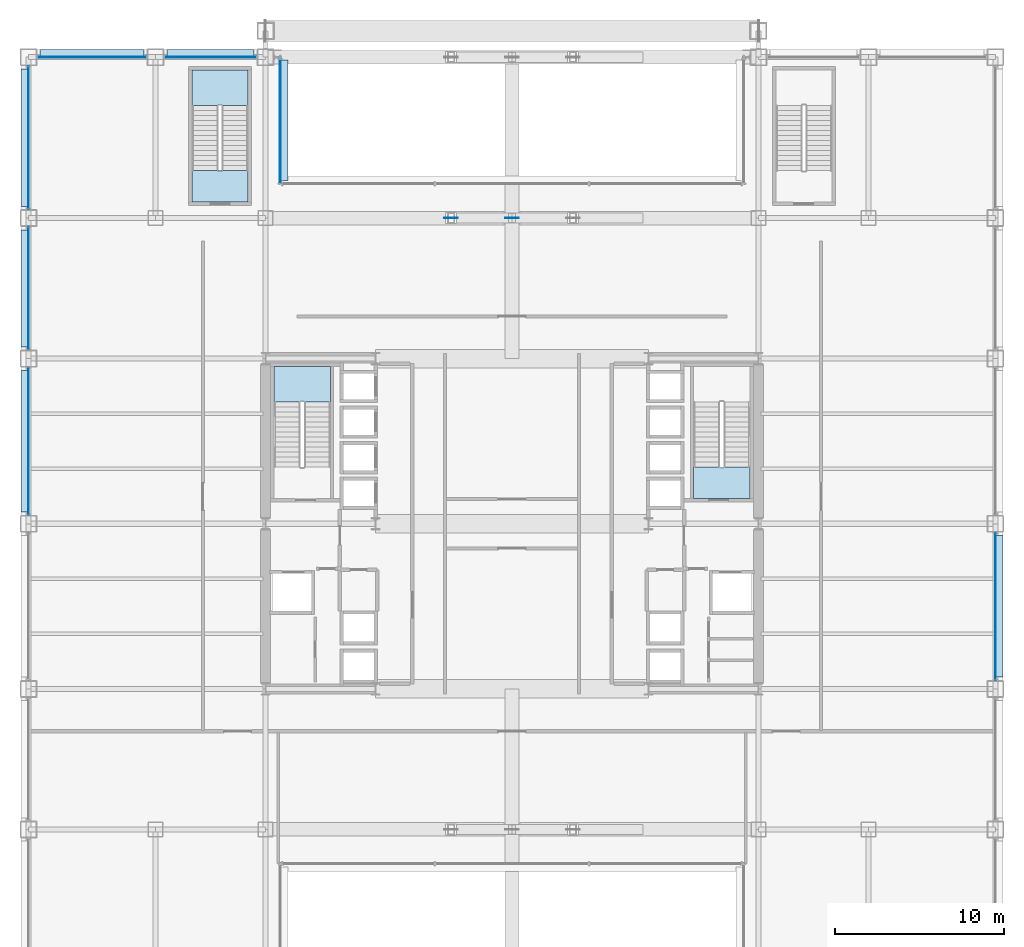
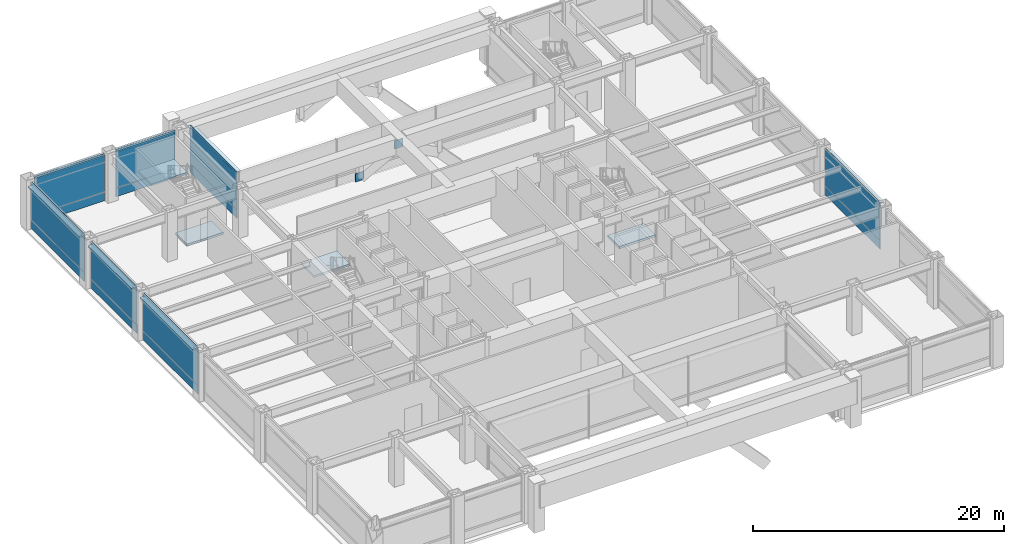
# One storey, part 28 of 37: 23 plates, 4 slabs, 9 elements without a shape of their own.
"""IFC4 building model written with IfcOpenShell, lengths in metres."""

import ifcopenshell
import ifcopenshell.guid

model = None  # the IFC model being written
_history = None  # IfcOwnerHistory: only IFC2X3 demands one
_inside = {}  # id of a spatial element -> (the spatial element, [elements in it])
_under = {}  # id of a project, library or spatial element -> (it, [spatial elements below it])
_declared = {}  # id of a project -> (the project, [libraries it declares])
_typed = {}  # id of a type object -> (the type object, [elements of that type])
_made_of = {}  # id of a material, layer set ... -> (it, [elements and type objects made of it])


def new_model(schema):
    """Start an empty IFC model of exactly this schema.

    Asked for "IFC4X3", IfcOpenShell would pick the latest addendum, in which some entities
    have other attributes; the version numbers below select the first issue.
    IFC2X3 requires an IfcOwnerHistory on every rooted entity: one is made here for all.
    """
    global model, _history
    if schema == "IFC4X3":
        model = ifcopenshell.file(schema_version=(4, 3, 0, 0))
    else:
        model = ifcopenshell.file(schema=schema)
    _inside.clear()
    _under.clear()
    _declared.clear()
    _typed.clear()
    _made_of.clear()
    _history = None
    if model.schema == "IFC2X3":
        org = make("IfcOrganization", Name="unknown")
        user = make(
            "IfcPersonAndOrganization",
            ThePerson=make("IfcPerson", FamilyName="unknown"),
            TheOrganization=org,
        )
        app = make(
            "IfcApplication",
            ApplicationDeveloper=org,
            Version="unknown",
            ApplicationFullName="unknown",
            ApplicationIdentifier="unknown",
        )
        _history = make(
            "IfcOwnerHistory",
            OwningUser=user,
            OwningApplication=app,
            ChangeAction="ADDED",
            CreationDate=0,
        )
    return model


def make(cls, **values):
    """One entity of the class cls with the attributes given. An attribute that is None is left unset."""
    return model.create_entity(
        cls, **{name: value for name, value in values.items() if value is not None}
    )


def rooted(cls, **values):
    """An entity with a GlobalId (a new one), such as an element, a storey or a relation."""
    return make(cls, GlobalId=ifcopenshell.guid.new(), OwnerHistory=_history, **values)


def si_unit(unit_type, name, prefix=None):
    """IfcSIUnit, for example si_unit("LENGTHUNIT", "METRE", prefix="MILLI")."""
    return make("IfcSIUnit", UnitType=unit_type, Prefix=prefix, Name=name)


def assignment(units):
    """IfcUnitAssignment: the units of a project."""
    return None if units is None else make("IfcUnitAssignment", Units=units)


def point(xyz):
    """IfcCartesianPoint."""
    return None if xyz is None else make("IfcCartesianPoint", Coordinates=xyz)


def direction(xyz):
    """IfcDirection."""
    return None if xyz is None else make("IfcDirection", DirectionRatios=xyz)


def frame(location, z_axis=None, x_axis=None):
    """IfcAxis2Placement3D, a coordinate frame: its origin and axes. An axis left out is left unset."""
    return make(
        "IfcAxis2Placement3D",
        Location=point(location),
        Axis=direction(z_axis),
        RefDirection=direction(x_axis),
    )


def frame_2d(location, x_axis=None):
    """IfcAxis2Placement2D, a coordinate frame in the plane: its origin and x axis."""
    return make(
        "IfcAxis2Placement2D", Location=point(location), RefDirection=direction(x_axis)
    )


def origin():
    """The frame at (0, 0, 0) with its axes left unset."""
    return frame((0.0, 0.0, 0.0))


def origin_2d():
    """The frame at (0, 0) in the plane with its x axis left unset."""
    return frame_2d((0.0, 0.0))


def place(relative_to, where):
    """IfcLocalPlacement: puts the frame where relative to a parent placement (None: the world)."""
    return make(
        "IfcLocalPlacement", PlacementRelTo=relative_to, RelativePlacement=where
    )


def context(
    kind, dimensions, precision=None, world=None, true_north=None, identifier=None
):
    """IfcGeometricRepresentationContext, for example the 3D "Model" context."""
    return make(
        "IfcGeometricRepresentationContext",
        ContextIdentifier=identifier,
        ContextType=kind,
        CoordinateSpaceDimension=dimensions,
        Precision=precision,
        WorldCoordinateSystem=world,
        TrueNorth=true_north,
    )


def subcontext(parent, identifier, kind, view, scale=None):
    """IfcGeometricRepresentationSubContext, for example "Body" below "Model"."""
    return make(
        "IfcGeometricRepresentationSubContext",
        ContextIdentifier=identifier,
        ContextType=kind,
        ParentContext=parent,
        TargetScale=scale,
        TargetView=view,
    )


def project(units=None, contexts=None):
    """IfcProject with its units and contexts."""
    return rooted(
        "IfcProject",
        Name="project",
        RepresentationContexts=contexts,
        UnitsInContext=assignment(units),
    )


def spatial(cls, under=None, at=None, **own):
    """A site, building, storey or space (cls), placed at a placement, below another one or the project."""
    s = rooted(cls, ObjectPlacement=at, **own)
    if under is not None:
        _under.setdefault(under.id(), (under, []))[1].append(s)
    return s


def polyline(points):
    """IfcPolyline through the points."""
    return make("IfcPolyline", Points=[point(p) for p in points])


def profile(cls, at=None, kind="AREA", **sizes):
    """A parametric profile (cls). Its sizes go by their IFC names, for example OverallWidth=200.0."""
    return make(cls, ProfileType=kind, Position=at, **sizes)


def rectangle(**sizes):
    """IfcRectangleProfileDef."""
    return profile("IfcRectangleProfileDef", **sizes)


def outline(outer, holes=None, kind="AREA"):
    """IfcArbitraryClosedProfileDef: a profile drawn as a closed curve; with holes, ...WithVoids."""
    if holes is None:
        return make("IfcArbitraryClosedProfileDef", ProfileType=kind, OuterCurve=outer)
    return make(
        "IfcArbitraryProfileDefWithVoids",
        ProfileType=kind,
        OuterCurve=outer,
        InnerCurves=holes,
    )


def extrude(swept, where, along, depth):
    """IfcExtrudedAreaSolid: the profile swept, set in the frame where, extruded along a direction by depth."""
    return make(
        "IfcExtrudedAreaSolid",
        SweptArea=swept,
        Position=where,
        ExtrudedDirection=direction(along),
        Depth=depth,
    )


def shape(context_of_items, identifier, shape_type, items):
    """IfcShapeRepresentation: the items that make up one representation, for example the "Body"."""
    return make(
        "IfcShapeRepresentation",
        ContextOfItems=context_of_items,
        RepresentationIdentifier=identifier,
        RepresentationType=shape_type,
        Items=items,
    )


def material(Name=None, Category=None):
    """IfcMaterial."""
    return make("IfcMaterial", Name=Name, Category=Category)


def layer(
    of_material, thickness, ventilated=None, Name=None, Category=None, Priority=None
):
    """IfcMaterialLayer: one layer of a wall or slab, of a material (None: an air gap)."""
    return make(
        "IfcMaterialLayer",
        Material=of_material,
        LayerThickness=thickness,
        IsVentilated=ventilated,
        Name=Name,
        Category=Category,
        Priority=Priority,
    )


def layer_set(layers, Name=None):
    """IfcMaterialLayerSet."""
    return make("IfcMaterialLayerSet", MaterialLayers=layers, LayerSetName=Name)


def made_of(thing, what):
    """Note that an element or type object is made of a material, layer set ...; save() writes the relation."""
    if what is not None:
        _made_of.setdefault(what.id(), (what, []))[1].append(thing)
    return thing


def type_object(cls, material=None, **own):
    """A type object (cls), such as IfcWallType, which elements share."""
    return made_of(rooted(cls, **own), material)


def element(
    cls,
    number,
    at=None,
    inside=None,
    cuts=None,
    type_object=None,
    material=None,
    context=None,
    identifier="Body",
    shape_type=None,
    held_by="IfcProductDefinitionShape",
    body=None,
    shapes=None,
    **own,
):
    """One element of the class cls, such as IfcWall. Its Tag is "e" and its number.

    at: its placement. inside: the storey or other place that contains it. cuts: it is an
    opening in that element (IfcRelVoidsElement). A single representation is given by context,
    identifier, shape_type and body (its items); several are given by shapes. held_by: the class
    of the entity that holds the representations. save() writes the other relations.
    """
    e = rooted(cls, Tag="e%d" % number, ObjectPlacement=at, **own)
    if body is not None:
        shapes = [shape(context, identifier, shape_type, body)]
    if shapes is not None:
        e.Representation = make(held_by, Representations=shapes)
    if inside is not None:
        _inside.setdefault(inside.id(), (inside, []))[1].append(e)
    if cuts is not None:
        rooted(
            "IfcRelVoidsElement", RelatingBuildingElement=cuts, RelatedOpeningElement=e
        )
    if type_object is not None:
        _typed.setdefault(type_object.id(), (type_object, []))[1].append(e)
    return made_of(e, material)


def aggregate(whole, parts):
    """IfcRelAggregates: a whole, such as a stair, and the parts it consists of."""
    return rooted("IfcRelAggregates", RelatingObject=whole, RelatedObjects=parts)


def save(model, path):
    """Write the relations noted so far, then the file.

    IfcRelAggregates (storeys below a building ...), IfcRelContainedInSpatialStructure (elements
    in a storey), IfcRelDefinesByType, IfcRelAssociatesMaterial and IfcRelDeclares: one each for
    every whole, place, type object, material and project.
    """
    for whole, parts in _under.values():
        aggregate(whole, parts)
    for where, things in _inside.values():
        rooted(
            "IfcRelContainedInSpatialStructure",
            RelatedElements=things,
            RelatingStructure=where,
        )
    for kind, things in _typed.values():
        rooted("IfcRelDefinesByType", RelatedObjects=things, RelatingType=kind)
    for what, things in _made_of.values():
        rooted("IfcRelAssociatesMaterial", RelatedObjects=things, RelatingMaterial=what)
    for by, libraries in _declared.values():
        rooted("IfcRelDeclares", RelatingContext=by, RelatedDefinitions=libraries)
    model.write(path)


model = new_model("IFC4")

# Units and contexts
model_context = context("Model", 3, precision=1e-05, world=origin(), true_north=direction((0.0, 1.0)))
body_context = subcontext(model_context, "Body", "Model", "MODEL_VIEW")
ifc_project = project(units=[si_unit("LENGTHUNIT", "METRE"), si_unit("AREAUNIT", "SQUARE_METRE"), si_unit("VOLUMEUNIT", "CUBIC_METRE"), si_unit("PLANEANGLEUNIT", "RADIAN"), si_unit("MASSUNIT", "GRAM", prefix="KILO")], contexts=[model_context])

# Site, building, storey
site_placement = place(None, origin())
site = spatial("IfcSite", under=ifc_project, at=site_placement, CompositionType="ELEMENT")
building_placement = place(site_placement, origin())
building = spatial("IfcBuilding", under=site, at=building_placement, Name="Brelmoor Portico Tower", CompositionType="ELEMENT")
storey_placement = place(building_placement, frame((0.0, 0.0, 14.39990234375)))
storey = spatial("IfcBuildingStorey", under=building, at=storey_placement, Name="L03", CompositionType="ELEMENT", Elevation=14.39990234375)

# Curtain wall, plate
ifc_material_1 = material(Name="Anodised Aluminium Alloy 6063-T6", Category="aluminium")
ifc_layer_1 = layer(ifc_material_1, 0.179931640625)
ifc_layer_set_1 = layer_set([ifc_layer_1], Name="Anodised Aluminium Alloy 6063-T6")
curtain_wall_type = type_object("IfcCurtainWallType", Name="CW-PODIUM-ARCH", PredefinedType="NOTDEFINED", material=ifc_layer_set_1)
curtain_wall_1_placement = place(storey_placement, origin())
curtain_wall_1 = element("IfcCurtainWall", 1, at=curtain_wall_1_placement, inside=storey, type_object=curtain_wall_type, Name="L03 Curtain Wall CW-L03-06-1", PredefinedType="NOTDEFINED")
ifc_material_2 = material(Name="Double-Silver Low-E Insulated Glazing", Category="glass")
ifc_layer_2 = layer(ifc_material_2, 0.035888671875)
ifc_layer_set_2 = layer_set([ifc_layer_2], Name="Double-Silver Low-E Insulated Glazing")
plate_type_1 = type_object("IfcPlateType", Name="PT-CW-GLASS", PredefinedType="CURTAIN_PANEL", material=ifc_layer_set_2)
plate_1_placement = place(storey_placement, frame((-24.800048828125, 27.550048828125, 0.85009765625), z_axis=(0.0, 0.0, 1.0), x_axis=(1.0, 0.0, 0.0)))
plate_1 = element("IfcPlate", 2, at=plate_1_placement, type_object=plate_type_1, Name="CW-L03-06-1 Vision Glass Panel 00", PredefinedType="CURTAIN_PANEL", context=body_context, shape_type="SweptSolid", body=[
    extrude(rectangle(XDim=6.449951171875, YDim=0.035888671875, at=origin_2d()), origin(), (0.0, 0.0, 1.0), 3.72998046875),
])

curtain_wall_2_placement = place(storey_placement, origin())
curtain_wall_2 = element("IfcCurtainWall", 3, at=curtain_wall_2_placement, inside=storey, type_object=curtain_wall_type, Name="L03 Curtain Wall CW-L03-06-2", PredefinedType="NOTDEFINED")
plate_2_placement = place(storey_placement, frame((-17.800048828125, 27.550048828125, 0.85009765625), z_axis=(0.0, 0.0, 1.0), x_axis=(1.0, 0.0, 0.0)))
plate_2 = element("IfcPlate", 4, at=plate_2_placement, type_object=plate_type_1, Name="CW-L03-06-2 Vision Glass Panel 00", PredefinedType="CURTAIN_PANEL", context=body_context, shape_type="SweptSolid", body=[
    extrude(rectangle(XDim=5.449951171875, YDim=0.035888671875, at=origin_2d()), origin(), (0.0, 0.0, 1.0), 3.72998046875),
])

curtain_wall_3_placement = place(storey_placement, origin())
curtain_wall_3 = element("IfcCurtainWall", 5, at=curtain_wall_3_placement, inside=storey, type_object=curtain_wall_type, Name="L03 Curtain Wall CW-L03-08", PredefinedType="NOTDEFINED")
plate_3_placement = place(storey_placement, frame((-13.679931640625, 23.81494140625, 0.85009765625), z_axis=(0.0, 0.0, 1.0), x_axis=(0.0, 1.0, 0.0)))
plate_3 = element("IfcPlate", 6, at=plate_3_placement, type_object=plate_type_1, Name="CW-L03-08 Vision Glass Panel 00", PredefinedType="CURTAIN_PANEL", context=body_context, shape_type="SweptSolid", body=[
    extrude(rectangle(XDim=7.43994140625, YDim=0.035888671875, at=origin_2d()), origin(), (0.0, 0.0, 1.0), 3.72998046875),
])

curtain_wall_4_placement = place(storey_placement, origin())
curtain_wall_4 = element("IfcCurtainWall", 7, at=curtain_wall_4_placement, inside=storey, type_object=curtain_wall_type, Name="L03 Curtain Wall CW-L03-11-4", PredefinedType="NOTDEFINED")
plate_4_placement = place(storey_placement, frame((-28.550048828125, 4.875, 0.85009765625), z_axis=(0.0, 0.0, 1.0), x_axis=(0.0, 1.0, 0.0)))
plate_4 = element("IfcPlate", 8, at=plate_4_placement, type_object=plate_type_1, Name="CW-L03-11-4 Vision Glass Panel 00", PredefinedType="CURTAIN_PANEL", context=body_context, shape_type="SweptSolid", body=[
    extrude(rectangle(XDim=8.699951171875, YDim=0.035888671875, at=origin_2d()), origin(), (0.0, 0.0, 1.0), 3.72998046875),
])

curtain_wall_5_placement = place(storey_placement, origin())
curtain_wall_5 = element("IfcCurtainWall", 9, at=curtain_wall_5_placement, inside=storey, type_object=curtain_wall_type, Name="L03 Curtain Wall CW-L03-11-5", PredefinedType="NOTDEFINED")
plate_5_placement = place(storey_placement, frame((-28.550048828125, 13.89990234375, 0.85009765625), z_axis=(0.0, 0.0, 1.0), x_axis=(0.0, 1.0, 0.0)))
plate_5 = element("IfcPlate", 10, at=plate_5_placement, type_object=plate_type_1, Name="CW-L03-11-5 Vision Glass Panel 00", PredefinedType="CURTAIN_PANEL", context=body_context, shape_type="SweptSolid", body=[
    extrude(rectangle(XDim=7.25, YDim=0.035888671875, at=origin_2d()), origin(), (0.0, 0.0, 1.0), 3.72998046875),
])

curtain_wall_6_placement = place(storey_placement, origin())
curtain_wall_6 = element("IfcCurtainWall", 11, at=curtain_wall_6_placement, inside=storey, type_object=curtain_wall_type, Name="L03 Curtain Wall CW-L03-11-6", PredefinedType="NOTDEFINED")
plate_6_placement = place(storey_placement, frame((-28.550048828125, 22.800048828125, 0.85009765625), z_axis=(0.0, 0.0, 1.0), x_axis=(0.0, 1.0, 0.0)))
plate_6 = element("IfcPlate", 12, at=plate_6_placement, type_object=plate_type_1, Name="CW-L03-11-6 Vision Glass Panel 00", PredefinedType="CURTAIN_PANEL", context=body_context, shape_type="SweptSolid", body=[
    extrude(rectangle(XDim=8.449951171875, YDim=0.035888671875, at=origin_2d()), origin(), (0.0, 0.0, 1.0), 3.72998046875),
])

curtain_wall_7_placement = place(storey_placement, origin())
curtain_wall_7 = element("IfcCurtainWall", 13, at=curtain_wall_7_placement, inside=storey, type_object=curtain_wall_type, Name="L03 Curtain Wall CW-L03-12-3", PredefinedType="NOTDEFINED")
plate_7_placement = place(storey_placement, frame((28.550048828125, -4.875, 0.85009765625), z_axis=(0.0, 0.0, 1.0), x_axis=(0.0, 1.0, 0.0)))
plate_7 = element("IfcPlate", 14, at=plate_7_placement, type_object=plate_type_1, Name="CW-L03-12-3 Vision Glass Panel 00", PredefinedType="CURTAIN_PANEL", context=body_context, shape_type="SweptSolid", body=[
    extrude(rectangle(XDim=8.699951171875, YDim=0.035888671875, at=origin_2d()), origin(), (0.0, 0.0, 1.0), 3.72998046875),
])

# Plate
ifc_material_3 = material(Name="Pale Champagne Anodised Aluminium Panel", Category="aluminium")
ifc_layer_3 = layer(ifc_material_3, 0.050048828125)
ifc_layer_set_3 = layer_set([ifc_layer_3], Name="Pale Champagne Anodised Aluminium Panel")
plate_type_2 = type_object("IfcPlateType", Name="PT-CW-SPANDREL", PredefinedType="SHEET", material=ifc_layer_set_3)
plate_8_placement = place(storey_placement, frame((-24.800048828125, 27.550048828125, 0.0), z_axis=(0.0, 0.0, 1.0), x_axis=(1.0, 0.0, 0.0)))
plate_8 = element("IfcPlate", 15, at=plate_8_placement, type_object=plate_type_2, Name="CW-L03-06-1 Spandrel Panel 00", PredefinedType="SHEET", context=body_context, shape_type="SweptSolid", body=[
    extrude(rectangle(XDim=6.449951171875, YDim=0.050048828125, at=origin_2d()), origin(), (0.0, 0.0, 1.0), 0.85009765625),
])

aggregate(curtain_wall_1, [plate_8, plate_1])

plate_9_placement = place(storey_placement, frame((-17.800048828125, 27.550048828125, 0.0), z_axis=(0.0, 0.0, 1.0), x_axis=(1.0, 0.0, 0.0)))
plate_9 = element("IfcPlate", 16, at=plate_9_placement, type_object=plate_type_2, Name="CW-L03-06-2 Spandrel Panel 00", PredefinedType="SHEET", context=body_context, shape_type="SweptSolid", body=[
    extrude(rectangle(XDim=5.449951171875, YDim=0.050048828125, at=origin_2d()), origin(), (0.0, 0.0, 1.0), 0.85009765625),
])

aggregate(curtain_wall_2, [plate_9, plate_2])

plate_10_placement = place(storey_placement, frame((-13.679931640625, 23.81494140625, 0.0), z_axis=(0.0, 0.0, 1.0), x_axis=(0.0, 1.0, 0.0)))
plate_10 = element("IfcPlate", 17, at=plate_10_placement, type_object=plate_type_2, Name="CW-L03-08 Spandrel Panel 00", PredefinedType="SHEET", context=body_context, shape_type="SweptSolid", body=[
    extrude(rectangle(XDim=7.43994140625, YDim=0.050048828125, at=origin_2d()), origin(), (0.0, 0.0, 1.0), 0.85009765625),
])

aggregate(curtain_wall_3, [plate_10, plate_3])

plate_11_placement = place(storey_placement, frame((-28.550048828125, 4.875, 0.0), z_axis=(0.0, 0.0, 1.0), x_axis=(0.0, 1.0, 0.0)))
plate_11 = element("IfcPlate", 18, at=plate_11_placement, type_object=plate_type_2, Name="CW-L03-11-4 Spandrel Panel 00", PredefinedType="SHEET", context=body_context, shape_type="SweptSolid", body=[
    extrude(rectangle(XDim=8.699951171875, YDim=0.050048828125, at=origin_2d()), origin(), (0.0, 0.0, 1.0), 0.85009765625),
])

aggregate(curtain_wall_4, [plate_11, plate_4])

plate_12_placement = place(storey_placement, frame((-28.550048828125, 13.89990234375, 0.0), z_axis=(0.0, 0.0, 1.0), x_axis=(0.0, 1.0, 0.0)))
plate_12 = element("IfcPlate", 19, at=plate_12_placement, type_object=plate_type_2, Name="CW-L03-11-5 Spandrel Panel 00", PredefinedType="SHEET", context=body_context, shape_type="SweptSolid", body=[
    extrude(rectangle(XDim=7.25, YDim=0.050048828125, at=origin_2d()), origin(), (0.0, 0.0, 1.0), 0.85009765625),
])

aggregate(curtain_wall_5, [plate_12, plate_5])

plate_13_placement = place(storey_placement, frame((-28.550048828125, 22.800048828125, 0.0), z_axis=(0.0, 0.0, 1.0), x_axis=(0.0, 1.0, 0.0)))
plate_13 = element("IfcPlate", 20, at=plate_13_placement, type_object=plate_type_2, Name="CW-L03-11-6 Spandrel Panel 00", PredefinedType="SHEET", context=body_context, shape_type="SweptSolid", body=[
    extrude(rectangle(XDim=8.449951171875, YDim=0.050048828125, at=origin_2d()), origin(), (0.0, 0.0, 1.0), 0.85009765625),
])

aggregate(curtain_wall_6, [plate_13, plate_6])

plate_14_placement = place(storey_placement, frame((28.550048828125, -4.875, 0.0), z_axis=(0.0, 0.0, 1.0), x_axis=(0.0, 1.0, 0.0)))
plate_14 = element("IfcPlate", 21, at=plate_14_placement, type_object=plate_type_2, Name="CW-L03-12-3 Spandrel Panel 00", PredefinedType="SHEET", context=body_context, shape_type="SweptSolid", body=[
    extrude(rectangle(XDim=8.699951171875, YDim=0.050048828125, at=origin_2d()), origin(), (0.0, 0.0, 1.0), 0.85009765625),
])

aggregate(curtain_wall_7, [plate_14, plate_7])

# Plates
ifc_material_4 = material(Name="Steel Q355B", Category="steel")
ifc_layer_4 = layer(ifc_material_4, 0.050048828125)
ifc_layer_set_4 = layer_set([ifc_layer_4], Name="Steel Q355B")
plate_type_3 = type_object("IfcPlateType", Name="PT-GUSSET-800", PredefinedType="USERDEFINED", material=ifc_layer_set_4)
for number, where, z_axis, x_axis, name in (
    (22, (-3.60009765625, 18.050048828125, 1.39990234375), (0.0, 0.0, 1.0), (1.0, 0.0, 0.0), "Portico Arch Gusset Plate N2-3"),
    (23, (0.0, 18.050048828125, 3.35498046875), (0.0, 0.0, 1.0), (1.0, 0.0, 0.0), "Portico Arch Gusset Plate N2-4"),
):
    element("IfcPlate", number, at=place(storey_placement, frame(where, z_axis=z_axis, x_axis=x_axis)), inside=storey, type_object=plate_type_3, Name=name, ObjectType="GUSSET PLATE", PredefinedType="USERDEFINED", context=body_context, shape_type="SweptSolid", body=[
        extrude(rectangle(XDim=0.800048828125, YDim=0.050048828125, at=origin_2d()), origin(), (0.0, 0.0, 1.0), 0.800048828125),
    ])
ifc_material_5 = material(Name="Pale Champagne Perforated Aluminium Solar Screen", Category="aluminium")
ifc_layer_5 = layer(ifc_material_5, 0.054931640625)
ifc_layer_set_5 = layer_set([ifc_layer_5], Name="Pale Champagne Perforated Aluminium Solar Screen")
plate_type_4 = type_object("IfcPlateType", Name="PT-SOLAR-LOUVRE", PredefinedType="SHEET", material=ifc_layer_set_5)
plate_15_placement = place(storey_placement, frame((-24.800048828125, 27.760009765625, 4.27001953125), z_axis=(0.0, 0.0, 1.0), x_axis=(1.0, 0.0, 0.0)))
element("IfcPlate", 24, at=plate_15_placement, inside=storey, type_object=plate_type_4, Name="CW-L03-06-1 Caribbean Brise-Soleil Solar Screen", PredefinedType="SHEET", context=body_context, shape_type="SweptSolid", body=[
    extrude(rectangle(XDim=6.1201171875, YDim=0.4599609375, at=origin_2d()), origin(), (0.0, 0.0, 1.0), 0.139892578125),
])
plate_16_placement = place(storey_placement, frame((-17.800048828125, 27.760009765625, 4.27001953125), z_axis=(0.0, 0.0, 1.0), x_axis=(1.0, 0.0, 0.0)))
element("IfcPlate", 25, at=plate_16_placement, inside=storey, type_object=plate_type_4, Name="CW-L03-06-2 Caribbean Brise-Soleil Solar Screen", PredefinedType="SHEET", context=body_context, shape_type="SweptSolid", body=[
    extrude(rectangle(XDim=5.1201171875, YDim=0.4599609375, at=origin_2d()), origin(), (0.0, 0.0, 1.0), 0.139892578125),
])
plate_17_placement = place(storey_placement, frame((-13.469970703125, 23.81494140625, 4.27001953125), z_axis=(0.0, 0.0, 1.0), x_axis=(0.0, 1.0, 0.0)))
element("IfcPlate", 26, at=plate_17_placement, inside=storey, type_object=plate_type_4, Name="CW-L03-08 Caribbean Brise-Soleil Solar Screen", PredefinedType="SHEET", context=body_context, shape_type="SweptSolid", body=[
    extrude(rectangle(XDim=7.110107421875, YDim=0.4599609375, at=origin_2d()), origin(), (0.0, 0.0, 1.0), 0.139892578125),
])
plate_18_placement = place(storey_placement, frame((-28.760009765625, 4.875, 4.27001953125), z_axis=(0.0, 0.0, 1.0), x_axis=(0.0, 1.0, 0.0)))
element("IfcPlate", 27, at=plate_18_placement, inside=storey, type_object=plate_type_4, Name="CW-L03-11-4 Caribbean Brise-Soleil Solar Screen", PredefinedType="SHEET", context=body_context, shape_type="SweptSolid", body=[
    extrude(rectangle(XDim=8.3701171875, YDim=0.4599609375, at=origin_2d()), origin(), (0.0, 0.0, 1.0), 0.139892578125),
])
plate_19_placement = place(storey_placement, frame((-28.760009765625, 13.89990234375, 4.27001953125), z_axis=(0.0, 0.0, 1.0), x_axis=(0.0, 1.0, 0.0)))
element("IfcPlate", 28, at=plate_19_placement, inside=storey, type_object=plate_type_4, Name="CW-L03-11-5 Caribbean Brise-Soleil Solar Screen", PredefinedType="SHEET", context=body_context, shape_type="SweptSolid", body=[
    extrude(rectangle(XDim=6.919921875, YDim=0.4599609375, at=origin_2d()), origin(), (0.0, 0.0, 1.0), 0.139892578125),
])
plate_20_placement = place(storey_placement, frame((-28.760009765625, 22.800048828125, 4.27001953125), z_axis=(0.0, 0.0, 1.0), x_axis=(0.0, 1.0, 0.0)))
element("IfcPlate", 29, at=plate_20_placement, inside=storey, type_object=plate_type_4, Name="CW-L03-11-6 Caribbean Brise-Soleil Solar Screen", PredefinedType="SHEET", context=body_context, shape_type="SweptSolid", body=[
    extrude(rectangle(XDim=8.1201171875, YDim=0.4599609375, at=origin_2d()), origin(), (0.0, 0.0, 1.0), 0.139892578125),
])
plate_21_placement = place(storey_placement, frame((28.760009765625, -4.875, 4.27001953125), z_axis=(0.0, 0.0, 1.0), x_axis=(0.0, 1.0, 0.0)))
element("IfcPlate", 30, at=plate_21_placement, inside=storey, type_object=plate_type_4, Name="CW-L03-12-3 Caribbean Brise-Soleil Solar Screen", PredefinedType="SHEET", context=body_context, shape_type="SweptSolid", body=[
    extrude(rectangle(XDim=8.3701171875, YDim=0.4599609375, at=origin_2d()), origin(), (0.0, 0.0, 1.0), 0.139892578125),
])

# Stair, slab
ifc_material_6 = material(Name="Concrete C40", Category="concrete")
stair_type_1 = type_object("IfcStairType", Name="ST-CORE-W", PredefinedType="HALF_TURN_STAIR", material=ifc_material_6)
stair_1_placement = place(storey_placement, origin())
stair_1 = element("IfcStair", 31, at=stair_1_placement, inside=storey, type_object=stair_type_1, Name="L03 Protected Core Exit Stair ST-W", PredefinedType="HALF_TURN_STAIR")
ifc_layer_6 = layer(ifc_material_6, 0.179931640625)
ifc_layer_set_6 = layer_set([ifc_layer_6], Name="Concrete C40")
slab_type_1 = type_object("IfcSlabType", Name="SL-LANDING-180", PredefinedType="LANDING", material=ifc_layer_set_6)
slab_1_placement = place(storey_placement, frame((0.0, 0.0, 2.2001953125)))
slab_1 = element("IfcSlab", 32, at=slab_1_placement, type_object=slab_type_1, Name="ST-W landing 1", PredefinedType="LANDING", context=body_context, shape_type="SweptSolid", body=[
    extrude(outline(polyline([(-10.72998046875, 7.18505859375), (-10.72998046875, 9.300048828125), (-14.050048828125, 9.300048828125), (-14.050048828125, 7.18505859375), (-10.72998046875, 7.18505859375)])), origin(), (0.0, 0.0, 1.0), 0.199951171875),
])
aggregate(stair_1, [slab_1])

stair_type_2 = type_object("IfcStairType", Name="ST-POD-P1", PredefinedType="HALF_TURN_STAIR", material=ifc_material_6)
stair_2_placement = place(storey_placement, origin())
stair_2 = element("IfcStair", 33, at=stair_2_placement, inside=storey, type_object=stair_type_2, Name="L03 Podium Protected Exit Stair ST-P1", PredefinedType="HALF_TURN_STAIR")
slab_2_placement = place(storey_placement, frame((0.0, 0.0, 2.2001953125)))
slab_2 = element("IfcSlab", 34, at=slab_2_placement, type_object=slab_type_1, Name="ST-P1 landing 1", PredefinedType="LANDING", context=body_context, shape_type="SweptSolid", body=[
    extrude(outline(polyline([(-15.580078125, 24.68505859375), (-15.580078125, 26.800048828125), (-18.89990234375, 26.800048828125), (-18.89990234375, 24.68505859375), (-15.580078125, 24.68505859375)])), origin(), (0.0, 0.0, 1.0), 0.199951171875),
])
aggregate(stair_2, [slab_2])

# Slabs
ifc_layer_7 = layer(ifc_material_6, 0.219970703125)
ifc_layer_set_7 = layer_set([ifc_layer_7], Name="Concrete C40")
slab_type_2 = type_object("IfcSlabType", Name="SL-STAIR-FL220", PredefinedType="LANDING", material=ifc_layer_set_7)
slab_3_placement = place(storey_placement, frame((0.0, 0.0, -0.219970703125)))
element("IfcSlab", 35, at=slab_3_placement, inside=storey, type_object=slab_type_2, Name="L03 ST-E Structural Floor Landing Slab", PredefinedType="LANDING", context=body_context, shape_type="SweptSolid", body=[
    extrude(outline(polyline([(14.050048828125, 1.5), (14.050048828125, 3.35009765625), (10.72998046875, 3.35009765625), (10.72998046875, 1.5), (14.050048828125, 1.5)])), origin(), (0.0, 0.0, 1.0), 0.219970703125),
])
slab_4_placement = place(storey_placement, frame((0.0, 0.0, -0.219970703125)))
element("IfcSlab", 36, at=slab_4_placement, inside=storey, type_object=slab_type_2, Name="L03 ST-P1 Structural Floor Landing Slab", PredefinedType="LANDING", context=body_context, shape_type="SweptSolid", body=[
    extrude(outline(polyline([(-15.580078125, 19.0), (-15.580078125, 20.85009765625), (-18.89990234375, 20.85009765625), (-18.89990234375, 19.0), (-15.580078125, 19.0)])), origin(), (0.0, 0.0, 1.0), 0.219970703125),
])

save(model, "model.ifc")
